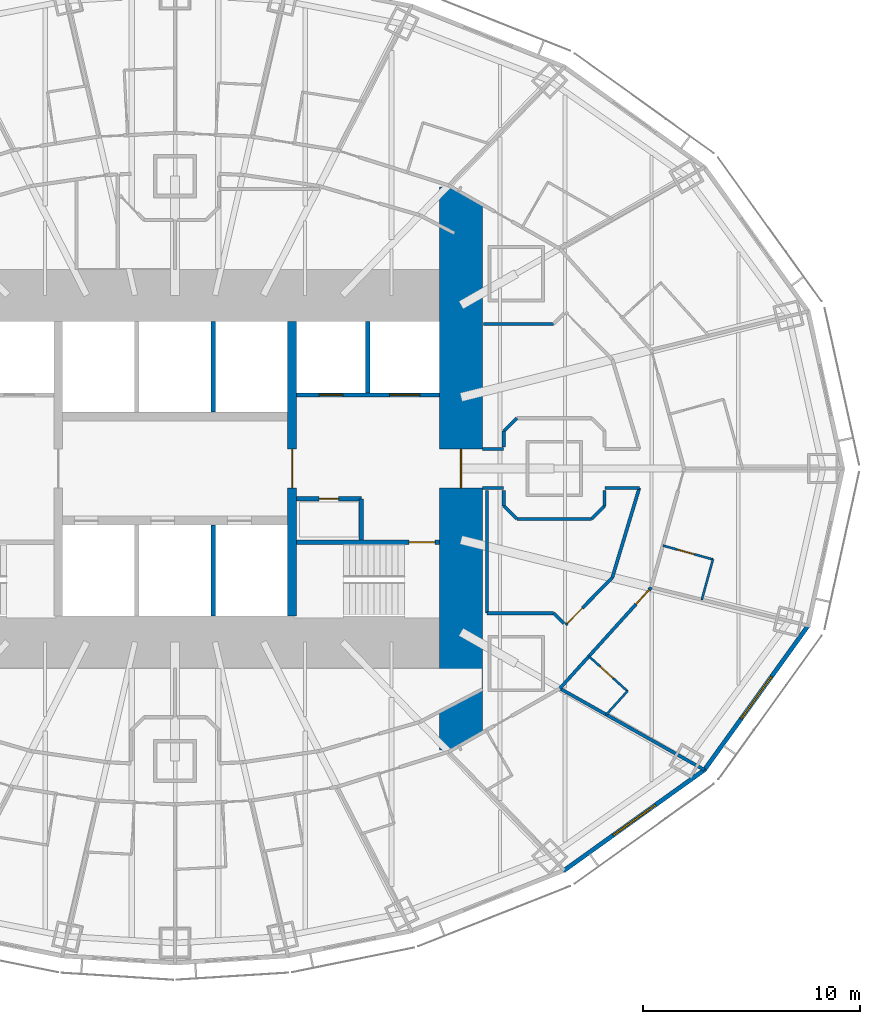
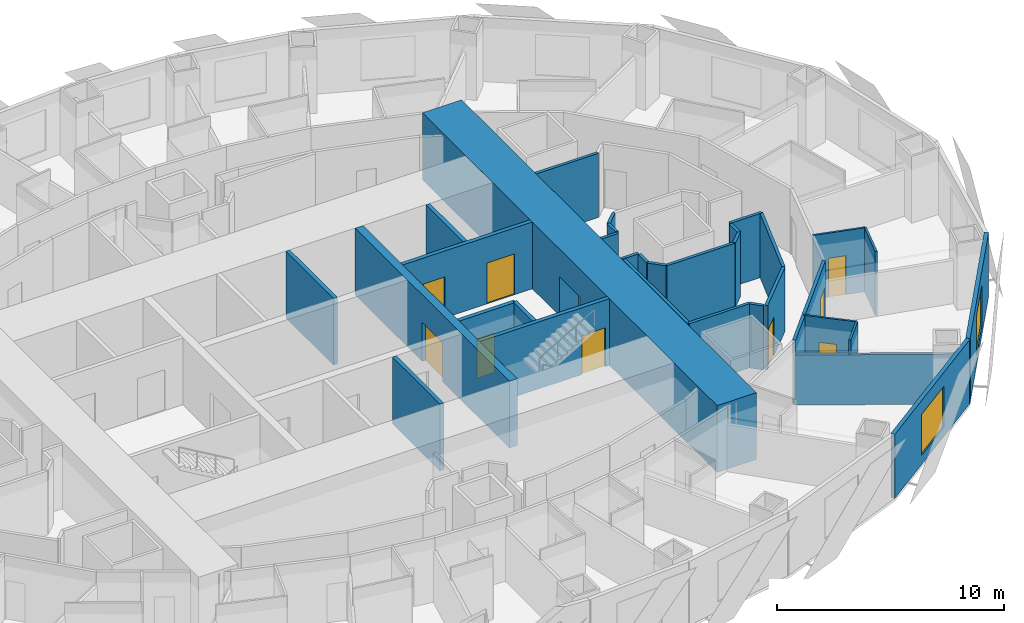
# One storey, part 8 of 17: 33 walls, 10 doors, 2 windows, 12 openings.
"""IFC4 building model written with IfcOpenShell, lengths in metres."""

import ifcopenshell
import ifcopenshell.guid

model = None  # the IFC model being written
_history = None  # IfcOwnerHistory: only IFC2X3 demands one
_inside = {}  # id of a spatial element -> (the spatial element, [elements in it])
_under = {}  # id of a project, library or spatial element -> (it, [spatial elements below it])
_declared = {}  # id of a project -> (the project, [libraries it declares])
_typed = {}  # id of a type object -> (the type object, [elements of that type])
_made_of = {}  # id of a material, layer set ... -> (it, [elements and type objects made of it])


def new_model(schema):
    """Start an empty IFC model of exactly this schema.

    Asked for "IFC4X3", IfcOpenShell would pick the latest addendum, in which some entities
    have other attributes; the version numbers below select the first issue.
    IFC2X3 requires an IfcOwnerHistory on every rooted entity: one is made here for all.
    """
    global model, _history
    if schema == "IFC4X3":
        model = ifcopenshell.file(schema_version=(4, 3, 0, 0))
    else:
        model = ifcopenshell.file(schema=schema)
    _inside.clear()
    _under.clear()
    _declared.clear()
    _typed.clear()
    _made_of.clear()
    _history = None
    if model.schema == "IFC2X3":
        org = make("IfcOrganization", Name="unknown")
        user = make(
            "IfcPersonAndOrganization",
            ThePerson=make("IfcPerson", FamilyName="unknown"),
            TheOrganization=org,
        )
        app = make(
            "IfcApplication",
            ApplicationDeveloper=org,
            Version="unknown",
            ApplicationFullName="unknown",
            ApplicationIdentifier="unknown",
        )
        _history = make(
            "IfcOwnerHistory",
            OwningUser=user,
            OwningApplication=app,
            ChangeAction="ADDED",
            CreationDate=0,
        )
    return model


def make(cls, **values):
    """One entity of the class cls with the attributes given. An attribute that is None is left unset."""
    return model.create_entity(
        cls, **{name: value for name, value in values.items() if value is not None}
    )


def rooted(cls, **values):
    """An entity with a GlobalId (a new one), such as an element, a storey or a relation."""
    return make(cls, GlobalId=ifcopenshell.guid.new(), OwnerHistory=_history, **values)


def si_unit(unit_type, name, prefix=None):
    """IfcSIUnit, for example si_unit("LENGTHUNIT", "METRE", prefix="MILLI")."""
    return make("IfcSIUnit", UnitType=unit_type, Prefix=prefix, Name=name)


def assignment(units):
    """IfcUnitAssignment: the units of a project."""
    return None if units is None else make("IfcUnitAssignment", Units=units)


def point(xyz):
    """IfcCartesianPoint."""
    return None if xyz is None else make("IfcCartesianPoint", Coordinates=xyz)


def direction(xyz):
    """IfcDirection."""
    return None if xyz is None else make("IfcDirection", DirectionRatios=xyz)


def frame(location, z_axis=None, x_axis=None):
    """IfcAxis2Placement3D, a coordinate frame: its origin and axes. An axis left out is left unset."""
    return make(
        "IfcAxis2Placement3D",
        Location=point(location),
        Axis=direction(z_axis),
        RefDirection=direction(x_axis),
    )


def frame_2d(location, x_axis=None):
    """IfcAxis2Placement2D, a coordinate frame in the plane: its origin and x axis."""
    return make(
        "IfcAxis2Placement2D", Location=point(location), RefDirection=direction(x_axis)
    )


def origin():
    """The frame at (0, 0, 0) with its axes left unset."""
    return frame((0.0, 0.0, 0.0))


def place(relative_to, where):
    """IfcLocalPlacement: puts the frame where relative to a parent placement (None: the world)."""
    return make(
        "IfcLocalPlacement", PlacementRelTo=relative_to, RelativePlacement=where
    )


def context(
    kind, dimensions, precision=None, world=None, true_north=None, identifier=None
):
    """IfcGeometricRepresentationContext, for example the 3D "Model" context."""
    return make(
        "IfcGeometricRepresentationContext",
        ContextIdentifier=identifier,
        ContextType=kind,
        CoordinateSpaceDimension=dimensions,
        Precision=precision,
        WorldCoordinateSystem=world,
        TrueNorth=true_north,
    )


def subcontext(parent, identifier, kind, view, scale=None):
    """IfcGeometricRepresentationSubContext, for example "Body" below "Model"."""
    return make(
        "IfcGeometricRepresentationSubContext",
        ContextIdentifier=identifier,
        ContextType=kind,
        ParentContext=parent,
        TargetScale=scale,
        TargetView=view,
    )


def project(units=None, contexts=None):
    """IfcProject with its units and contexts."""
    return rooted(
        "IfcProject",
        Name="project",
        RepresentationContexts=contexts,
        UnitsInContext=assignment(units),
    )


def spatial(cls, under=None, at=None, **own):
    """A site, building, storey or space (cls), placed at a placement, below another one or the project."""
    s = rooted(cls, ObjectPlacement=at, **own)
    if under is not None:
        _under.setdefault(under.id(), (under, []))[1].append(s)
    return s


def profile(cls, at=None, kind="AREA", **sizes):
    """A parametric profile (cls). Its sizes go by their IFC names, for example OverallWidth=200.0."""
    return make(cls, ProfileType=kind, Position=at, **sizes)


def rectangle(**sizes):
    """IfcRectangleProfileDef."""
    return profile("IfcRectangleProfileDef", **sizes)


def extrude(swept, where, along, depth):
    """IfcExtrudedAreaSolid: the profile swept, set in the frame where, extruded along a direction by depth."""
    return make(
        "IfcExtrudedAreaSolid",
        SweptArea=swept,
        Position=where,
        ExtrudedDirection=direction(along),
        Depth=depth,
    )


def shape(context_of_items, identifier, shape_type, items):
    """IfcShapeRepresentation: the items that make up one representation, for example the "Body"."""
    return make(
        "IfcShapeRepresentation",
        ContextOfItems=context_of_items,
        RepresentationIdentifier=identifier,
        RepresentationType=shape_type,
        Items=items,
    )


def material(Name=None, Category=None):
    """IfcMaterial."""
    return make("IfcMaterial", Name=Name, Category=Category)


def layer(
    of_material, thickness, ventilated=None, Name=None, Category=None, Priority=None
):
    """IfcMaterialLayer: one layer of a wall or slab, of a material (None: an air gap)."""
    return make(
        "IfcMaterialLayer",
        Material=of_material,
        LayerThickness=thickness,
        IsVentilated=ventilated,
        Name=Name,
        Category=Category,
        Priority=Priority,
    )


def layer_set(layers, Name=None):
    """IfcMaterialLayerSet."""
    return make("IfcMaterialLayerSet", MaterialLayers=layers, LayerSetName=Name)


def made_of(thing, what):
    """Note that an element or type object is made of a material, layer set ...; save() writes the relation."""
    if what is not None:
        _made_of.setdefault(what.id(), (what, []))[1].append(thing)
    return thing


def type_object(cls, material=None, **own):
    """A type object (cls), such as IfcWallType, which elements share."""
    return made_of(rooted(cls, **own), material)


def element(
    cls,
    number,
    at=None,
    inside=None,
    cuts=None,
    type_object=None,
    material=None,
    context=None,
    identifier="Body",
    shape_type=None,
    held_by="IfcProductDefinitionShape",
    body=None,
    shapes=None,
    **own,
):
    """One element of the class cls, such as IfcWall. Its Tag is "e" and its number.

    at: its placement. inside: the storey or other place that contains it. cuts: it is an
    opening in that element (IfcRelVoidsElement). A single representation is given by context,
    identifier, shape_type and body (its items); several are given by shapes. held_by: the class
    of the entity that holds the representations. save() writes the other relations.
    """
    e = rooted(cls, Tag="e%d" % number, ObjectPlacement=at, **own)
    if body is not None:
        shapes = [shape(context, identifier, shape_type, body)]
    if shapes is not None:
        e.Representation = make(held_by, Representations=shapes)
    if inside is not None:
        _inside.setdefault(inside.id(), (inside, []))[1].append(e)
    if cuts is not None:
        rooted(
            "IfcRelVoidsElement", RelatingBuildingElement=cuts, RelatedOpeningElement=e
        )
    if type_object is not None:
        _typed.setdefault(type_object.id(), (type_object, []))[1].append(e)
    return made_of(e, material)


def fill(opening, filler):
    """IfcRelFillsElement: the door or window that sits in an opening."""
    return rooted(
        "IfcRelFillsElement",
        RelatingOpeningElement=opening,
        RelatedBuildingElement=filler,
    )


def aggregate(whole, parts):
    """IfcRelAggregates: a whole, such as a stair, and the parts it consists of."""
    return rooted("IfcRelAggregates", RelatingObject=whole, RelatedObjects=parts)


def save(model, path):
    """Write the relations noted so far, then the file.

    IfcRelAggregates (storeys below a building ...), IfcRelContainedInSpatialStructure (elements
    in a storey), IfcRelDefinesByType, IfcRelAssociatesMaterial and IfcRelDeclares: one each for
    every whole, place, type object, material and project.
    """
    for whole, parts in _under.values():
        aggregate(whole, parts)
    for where, things in _inside.values():
        rooted(
            "IfcRelContainedInSpatialStructure",
            RelatedElements=things,
            RelatingStructure=where,
        )
    for kind, things in _typed.values():
        rooted("IfcRelDefinesByType", RelatedObjects=things, RelatingType=kind)
    for what, things in _made_of.values():
        rooted("IfcRelAssociatesMaterial", RelatedObjects=things, RelatingMaterial=what)
    for by, libraries in _declared.values():
        rooted("IfcRelDeclares", RelatingContext=by, RelatedDefinitions=libraries)
    model.write(path)


model = new_model("IFC4")

# Units and contexts
model_context = context("Model", 3, precision=1e-05, world=origin(), true_north=direction((0.0, 1.0)))
body_context = subcontext(model_context, "Body", "Model", "MODEL_VIEW")
ifc_project = project(units=[si_unit("LENGTHUNIT", "METRE"), si_unit("AREAUNIT", "SQUARE_METRE"), si_unit("VOLUMEUNIT", "CUBIC_METRE"), si_unit("PLANEANGLEUNIT", "RADIAN"), si_unit("MASSUNIT", "GRAM", prefix="KILO")], contexts=[model_context])

# Site, building, storey
site_placement = place(None, origin())
site = spatial("IfcSite", under=ifc_project, at=site_placement, CompositionType="ELEMENT")
building_placement = place(site_placement, origin())
building = spatial("IfcBuilding", under=site, at=building_placement, Name="Lantaw Convention Tower", CompositionType="ELEMENT")
storey_placement = place(building_placement, frame((0.0, 0.0, 37.0)))
storey = spatial("IfcBuildingStorey", under=building, at=storey_placement, Name="L06", CompositionType="ELEMENT", Elevation=37.0)

# Walls
ifc_material_1 = material(Name="Gypsum board on steel studs", Category="steel")
ifc_layer_1 = layer(ifc_material_1, 0.14990234375)
ifc_layer_set_1 = layer_set([ifc_layer_1], Name="Back of house wall 150")
wall_type_1 = type_object("IfcWallType", Name="Back of house wall 150", PredefinedType="PARTITIONING", material=ifc_layer_set_1)
wall_1_placement = place(storey_placement, frame((14.39990234375, -1.0048828125, 0.0), z_axis=(0.0, 0.0, 1.0), x_axis=(0.0, -1.0, 0.0)))
element("IfcWall", 1, at=wall_1_placement, inside=storey, type_object=wall_type_1, Name="Back of house wall 150", PredefinedType="PARTITIONING", context=body_context, shape_type="SweptSolid", body=[
    extrude(rectangle(XDim=5.670166015625, YDim=0.14990234375, at=frame_2d((2.8349609375, 0.0))), origin(), (0.0, 0.0, 1.0), 3.449951171875),
])
wall_2_placement = place(storey_placement, frame((14.39990234375, -6.675048828125, 0.0), z_axis=(0.0, 0.0, 1.0), x_axis=(1.0, 0.0, 0.0)))
element("IfcWall", 2, at=wall_2_placement, inside=storey, type_object=wall_type_1, Name="Back of house wall 150", PredefinedType="PARTITIONING", context=body_context, shape_type="SweptSolid", body=[
    extrude(rectangle(XDim=3.07470703125, YDim=0.14990234375, at=frame_2d((1.537353515625, 0.0))), origin(), (0.0, 0.0, 1.0), 3.449951171875),
])
wall_3_placement = place(storey_placement, frame((17.474609375, -6.675048828125, 0.0), z_axis=(0.0, 0.0, 1.0), x_axis=(0.707106781187, -0.707106781187, 0.0)))
element("IfcWall", 3, at=wall_3_placement, inside=storey, type_object=wall_type_1, Name="Back of house wall 150", PredefinedType="PARTITIONING", context=body_context, shape_type="SweptSolid", body=[
    extrude(rectangle(XDim=0.675048828125, YDim=0.14990234375, at=frame_2d((0.33740234375, 0.0))), origin(), (0.0, 0.0, 1.0), 3.449951171875),
])

# Wall, opening, door
ifc_material_2 = material(Name="Moisture resistant gypsum board on steel studs", Category="steel")
ifc_layer_2 = layer(ifc_material_2, 0.10009765625)
ifc_layer_set_2 = layer_set([ifc_layer_2], Name="Bathroom wall 100")
wall_type_2 = type_object("IfcWallType", Name="Bathroom wall 100", PredefinedType="PARTITIONING", material=ifc_layer_set_2)
wall_4_placement = place(storey_placement, frame((19.1025390625, -8.665771484375, 0.0), z_axis=(0.0, 0.0, 1.0), x_axis=(0.741861025859, -0.670553665496, 0.0)))
wall_4 = element("IfcWall", 4, at=wall_4_placement, inside=storey, type_object=wall_type_2, Name="Bathroom wall 100", PredefinedType="PARTITIONING", context=body_context, shape_type="SweptSolid", body=[
    extrude(rectangle(XDim=2.400146484375, YDim=0.10009765625, at=frame_2d((1.2001953125, 0.0))), origin(), (0.0, 0.0, 1.0), 3.449951171875),
])
opening_1_placement = place(wall_4_placement, frame((0.699951171875, 0.0, 0.0)))
opening_1 = element("IfcOpeningElement", 5, at=opening_1_placement, cuts=wall_4, Name="Opening L06.68", PredefinedType="OPENING", context=body_context, shape_type="SweptSolid", body=[
    extrude(rectangle(XDim=0.800048828125, YDim=2.10009765625, at=frame_2d((0.39990234375, 1.050048828125))), frame((0.0, 0.06005859375, 0.0), z_axis=(0.0, -1.0, 0.0), x_axis=(1.0, 0.0, 0.0)), (0.0, 0.0, 1.0), 0.1201171875),
])
ifc_material_3 = material(Name="Timber", Category="wood")
door_type_1 = type_object("IfcDoorType", Name="Bathroom door 800", OperationType="SINGLE_SWING_LEFT", PredefinedType="DOOR", material=ifc_material_3)
door_1_placement = place(opening_1_placement, origin())
door_1 = element("IfcDoor", 6, at=door_1_placement, inside=storey, type_object=door_type_1, Name="Bathroom door", OperationType="SINGLE_SWING_LEFT", OverallHeight=2.10009765625, OverallWidth=0.800048828125, PredefinedType="DOOR", context=body_context, shape_type="SweptSolid", body=[
    extrude(rectangle(XDim=0.800048828125, YDim=2.10009765625, at=frame_2d((0.39990234375, 1.050048828125))), frame((0.0, 0.02490234375, 0.0), z_axis=(0.0, -1.0, 0.0), x_axis=(1.0, 0.0, 0.0)), (0.0, 0.0, 1.0), 0.050048828125),
])
fill(opening_1, door_1)

# Wall
wall_5_placement = place(storey_placement, frame((20.883056640625, -10.275146484375, 0.0), z_axis=(0.0, 0.0, 1.0), x_axis=(-0.670592268759, -0.7418261313, 0.0)))
element("IfcWall", 7, at=wall_5_placement, inside=storey, type_object=wall_type_2, Name="Bathroom wall 100", PredefinedType="PARTITIONING", context=body_context, shape_type="SweptSolid", body=[
    extrude(rectangle(XDim=1.4736328125, YDim=0.10009765625, at=frame_2d((0.73681640625, 0.0))), origin(), (0.0, 0.0, 1.0), 3.449951171875),
])

# Wall, opening, door
wall_6_placement = place(storey_placement, frame((22.515869140625, -3.55322265625, 0.0), z_axis=(0.0, 0.0, 1.0), x_axis=(0.963711502417, -0.266945949788, 0.0)))
wall_6 = element("IfcWall", 8, at=wall_6_placement, inside=storey, type_object=wall_type_2, Name="Bathroom wall 100", PredefinedType="PARTITIONING", context=body_context, shape_type="SweptSolid", body=[
    extrude(rectangle(XDim=2.39990234375, YDim=0.10009765625, at=frame_2d((1.199951171875, 0.0))), origin(), (0.0, 0.0, 1.0), 3.449951171875),
])
opening_2_placement = place(wall_6_placement, frame((0.699951171875, 0.0, 0.0)))
opening_2 = element("IfcOpeningElement", 9, at=opening_2_placement, cuts=wall_6, Name="Opening L06.70", PredefinedType="OPENING", context=body_context, shape_type="SweptSolid", body=[
    extrude(rectangle(XDim=0.800048828125, YDim=2.10009765625, at=frame_2d((0.39990234375, 1.050048828125))), frame((0.0, 0.06005859375, 0.0), z_axis=(0.0, -1.0, 0.0), x_axis=(1.0, 0.0, 0.0)), (0.0, 0.0, 1.0), 0.1201171875),
])
door_2_placement = place(opening_2_placement, origin())
door_2 = element("IfcDoor", 10, at=door_2_placement, inside=storey, type_object=door_type_1, Name="Bathroom door", OperationType="SINGLE_SWING_LEFT", OverallHeight=2.10009765625, OverallWidth=0.800048828125, PredefinedType="DOOR", context=body_context, shape_type="SweptSolid", body=[
    extrude(rectangle(XDim=0.800048828125, YDim=2.10009765625, at=frame_2d((0.39990234375, 1.050048828125))), frame((0.0, 0.02490234375, 0.0), z_axis=(0.0, -1.0, 0.0), x_axis=(1.0, 0.0, 0.0)), (0.0, 0.0, 1.0), 0.050048828125),
])
fill(opening_2, door_2)

# Wall
wall_7_placement = place(storey_placement, frame((24.82861328125, -4.19384765625, 0.0), z_axis=(0.0, 0.0, 1.0), x_axis=(-0.266942084007, -0.963712573222, 0.0)))
element("IfcWall", 11, at=wall_7_placement, inside=storey, type_object=wall_type_2, Name="Bathroom wall 100", PredefinedType="PARTITIONING", context=body_context, shape_type="SweptSolid", body=[
    extrude(rectangle(XDim=1.93798828125, YDim=0.10009765625, at=frame_2d((0.968994140625, 0.0))), origin(), (0.0, 0.0, 1.0), 3.449951171875),
])

# Wall, opening, door
ifc_material_4 = material(Name="Concrete C60/75", Category="concrete")
ifc_layer_3 = layer(ifc_material_4, 0.199951171875)
ifc_layer_set_3 = layer_set([ifc_layer_3], Name="Core wall 200")
wall_type_3 = type_object("IfcWallType", Name="Core wall 200", PredefinedType="SHEAR", material=ifc_layer_set_3)
wall_8_placement = place(storey_placement, frame((5.60009765625, -3.39990234375, 0.0), z_axis=(0.0, 0.0, 1.0), x_axis=(1.0, 0.0, 0.0)))
wall_8 = element("IfcWall", 12, at=wall_8_placement, inside=storey, type_object=wall_type_3, Name="Core wall ES", PredefinedType="SHEAR", context=body_context, shape_type="SweptSolid", body=[
    extrude(rectangle(XDim=6.599853515625, YDim=0.199951171875, at=frame_2d((3.2998046875, 0.0))), origin(), (0.0, 0.0, 1.0), 3.60009765625),
])
opening_3_placement = place(wall_8_placement, frame((5.199951171875, 0.0, 0.0)))
opening_3 = element("IfcOpeningElement", 13, at=opening_3_placement, cuts=wall_8, Name="Opening L06.04", PredefinedType="OPENING", context=body_context, shape_type="SweptSolid", body=[
    extrude(rectangle(XDim=1.199951171875, YDim=2.10009765625, at=frame_2d((0.60009765625, 1.050048828125))), frame((0.0, 0.10986328125, 0.0), z_axis=(0.0, -1.0, 0.0), x_axis=(1.0, 0.0, 0.0)), (0.0, 0.0, 1.0), 0.219970703125),
])
ifc_material_5 = material(Name="Steel, fire rated", Category="steel")
door_type_2 = type_object("IfcDoorType", Name="Stair door FD90", OperationType="SINGLE_SWING_RIGHT", PredefinedType="DOOR", material=ifc_material_5)
door_3_placement = place(opening_3_placement, origin())
door_3 = element("IfcDoor", 14, at=door_3_placement, inside=storey, type_object=door_type_2, Name="Exit stair door", OperationType="SINGLE_SWING_RIGHT", OverallHeight=2.10009765625, OverallWidth=1.199951171875, PredefinedType="DOOR", context=body_context, shape_type="SweptSolid", body=[
    extrude(rectangle(XDim=1.199951171875, YDim=2.10009765625, at=frame_2d((0.60009765625, 1.050048828125))), frame((0.0, 0.02490234375, 0.0), z_axis=(0.0, -1.0, 0.0), x_axis=(1.0, 0.0, 0.0)), (0.0, 0.0, 1.0), 0.050048828125),
])
fill(opening_3, door_3)

ifc_layer_4 = layer(ifc_material_4, 2.0)
ifc_layer_set_4 = layer_set([ifc_layer_4], Name="Core wall 2000")
wall_type_4 = type_object("IfcWallType", Name="Core wall 2000", PredefinedType="SHEAR", material=ifc_layer_set_4)
wall_9_placement = place(storey_placement, frame((13.199951171875, -13.0, 0.0), z_axis=(0.0, 0.0, 1.0), x_axis=(0.0, 1.0, 0.0)))
wall_9 = element("IfcWall", 15, at=wall_9_placement, inside=storey, type_object=wall_type_4, Name="Core wall E", PredefinedType="SHEAR", context=body_context, shape_type="SweptSolid", body=[
    extrude(rectangle(XDim=26.0, YDim=2.0, at=frame_2d((13.0, 0.0))), origin(), (0.0, 0.0, 1.0), 3.60009765625),
])
opening_4_placement = place(wall_9_placement, frame((12.10009765625, 0.0, 0.0)))
opening_4 = element("IfcOpeningElement", 16, at=opening_4_placement, cuts=wall_9, Name="Opening L06.06", PredefinedType="OPENING", context=body_context, shape_type="SweptSolid", body=[
    extrude(rectangle(XDim=1.800048828125, YDim=2.10009765625, at=frame_2d((0.89990234375, 1.050048828125))), frame((0.0, 1.010009765625, 0.0), z_axis=(0.0, -1.0, 0.0), x_axis=(1.0, 0.0, 0.0)), (0.0, 0.0, 1.0), 2.02001953125),
])
door_type_3 = type_object("IfcDoorType", Name="Lobby double door FD90", OperationType="DOUBLE_DOOR_DOUBLE_SWING", PredefinedType="DOOR", material=ifc_material_5)
door_4_placement = place(opening_4_placement, origin())
door_4 = element("IfcDoor", 17, at=door_4_placement, inside=storey, type_object=door_type_3, Name="Firefighting lobby door", OperationType="DOUBLE_DOOR_DOUBLE_SWING", OverallHeight=2.10009765625, OverallWidth=1.800048828125, PredefinedType="DOOR", context=body_context, shape_type="SweptSolid", body=[
    extrude(rectangle(XDim=1.800048828125, YDim=2.10009765625, at=frame_2d((0.89990234375, 1.050048828125))), frame((0.0, 0.02490234375, 0.0), z_axis=(0.0, -1.0, 0.0), x_axis=(1.0, 0.0, 0.0)), (0.0, 0.0, 1.0), 0.050048828125),
])
fill(opening_4, door_4)

ifc_layer_5 = layer(ifc_material_4, 0.39990234375)
ifc_layer_set_5 = layer_set([ifc_layer_5], Name="Core wall 400")
wall_type_5 = type_object("IfcWallType", Name="Core wall 400", PredefinedType="SHEAR", material=ifc_layer_set_5)
wall_10_placement = place(storey_placement, frame((5.39990234375, -6.800048828125, 0.0), z_axis=(0.0, 0.0, 1.0), x_axis=(0.0, 1.0, 0.0)))
wall_10 = element("IfcWall", 18, at=wall_10_placement, inside=storey, type_object=wall_type_5, Name="Core wall XE", PredefinedType="SHEAR", context=body_context, shape_type="SweptSolid", body=[
    extrude(rectangle(XDim=13.60009765625, YDim=0.39990234375, at=frame_2d((6.800048828125, 0.0))), origin(), (0.0, 0.0, 1.0), 3.60009765625),
])
opening_5_placement = place(wall_10_placement, frame((5.89990234375, 0.0, 0.0)))
opening_5 = element("IfcOpeningElement", 19, at=opening_5_placement, cuts=wall_10, Name="Opening L06.02", PredefinedType="OPENING", context=body_context, shape_type="SweptSolid", body=[
    extrude(rectangle(XDim=1.800048828125, YDim=2.10009765625, at=frame_2d((0.89990234375, 1.050048828125))), frame((0.0, 0.2099609375, 0.0), z_axis=(0.0, -1.0, 0.0), x_axis=(1.0, 0.0, 0.0)), (0.0, 0.0, 1.0), 0.419921875),
])
door_5_placement = place(opening_5_placement, origin())
door_5 = element("IfcDoor", 20, at=door_5_placement, inside=storey, type_object=door_type_3, Name="Lift lobby door", OperationType="DOUBLE_DOOR_DOUBLE_SWING", OverallHeight=2.10009765625, OverallWidth=1.800048828125, PredefinedType="DOOR", context=body_context, shape_type="SweptSolid", body=[
    extrude(rectangle(XDim=1.800048828125, YDim=2.10009765625, at=frame_2d((0.89990234375, 1.050048828125))), frame((0.0, 0.02490234375, 0.0), z_axis=(0.0, -1.0, 0.0), x_axis=(1.0, 0.0, 0.0)), (0.0, 0.0, 1.0), 0.050048828125),
])
fill(opening_5, door_5)

ifc_material_6 = material(Name="Gypsum board on steel studs, fire rated", Category="steel")
ifc_layer_6 = layer(ifc_material_6, 0.14990234375)
ifc_layer_set_6 = layer_set([ifc_layer_6], Name="Corridor wall 150 EI 60")
wall_type_6 = type_object("IfcWallType", Name="Corridor wall 150 EI 60", PredefinedType="PARTITIONING", material=ifc_layer_set_6)
wall_11_placement = place(storey_placement, frame((17.761474609375, -10.1494140625, 0.0), z_axis=(0.0, 0.0, 1.0), x_axis=(0.670598380282, 0.741820606591, 0.0)))
wall_11 = element("IfcWall", 21, at=wall_11_placement, inside=storey, type_object=wall_type_6, Name="Corridor wall 150", PredefinedType="PARTITIONING", context=body_context, shape_type="SweptSolid", body=[
    extrude(rectangle(XDim=6.29345703125, YDim=0.14990234375, at=frame_2d((3.146728515625, 0.0))), origin(), (0.0, 0.0, 1.0), 3.449951171875),
])
opening_6_placement = place(wall_11_placement, frame((5.24365234375, 0.0, 0.0)))
opening_6 = element("IfcOpeningElement", 22, at=opening_6_placement, cuts=wall_11, Name="Opening L06.69", PredefinedType="OPENING", context=body_context, shape_type="SweptSolid", body=[
    extrude(rectangle(XDim=0.89990234375, YDim=2.10009765625, at=frame_2d((0.449951171875, 1.050048828125))), frame((0.0, 0.0849609375, 0.0), z_axis=(0.0, -1.0, 0.0), x_axis=(1.0, 0.0, 0.0)), (0.0, 0.0, 1.0), 0.169921875),
])
door_type_4 = type_object("IfcDoorType", Name="Guest room entrance door FD30S", OperationType="SINGLE_SWING_LEFT", PredefinedType="DOOR", material=ifc_material_5)
door_6_placement = place(opening_6_placement, origin())
door_6 = element("IfcDoor", 23, at=door_6_placement, inside=storey, type_object=door_type_4, Name="Guest room entrance door", OperationType="SINGLE_SWING_LEFT", OverallHeight=2.10009765625, OverallWidth=0.89990234375, PredefinedType="DOOR", context=body_context, shape_type="SweptSolid", body=[
    extrude(rectangle(XDim=0.89990234375, YDim=2.10009765625, at=frame_2d((0.449951171875, 1.050048828125))), frame((0.0, 0.02490234375, 0.0), z_axis=(0.0, -1.0, 0.0), x_axis=(1.0, 0.0, 0.0)), (0.0, 0.0, 1.0), 0.050048828125),
])
fill(opening_6, door_6)

# Wall
wall_12_placement = place(storey_placement, frame((20.18310546875, -5.0322265625, 0.0), z_axis=(0.0, 0.0, 1.0), x_axis=(0.288603524054, 0.957448696225, 0.0)))
element("IfcWall", 24, at=wall_12_placement, inside=storey, type_object=wall_type_6, Name="Corridor wall 150", PredefinedType="PARTITIONING", context=body_context, shape_type="SweptSolid", body=[
    extrude(rectangle(XDim=4.31591796875, YDim=0.14990234375, at=frame_2d((2.157958984375, 0.0))), origin(), (0.0, 0.0, 1.0), 3.449951171875),
])

# Wall, opening, door
wall_13_placement = place(storey_placement, frame((18.031982421875, -7.21826171875, 0.0), z_axis=(0.0, 0.0, 1.0), x_axis=(0.701392176983, 0.712775570616, 0.0)))
wall_13 = element("IfcWall", 25, at=wall_13_placement, inside=storey, type_object=wall_type_6, Name="Corridor wall 150", PredefinedType="PARTITIONING", context=body_context, shape_type="SweptSolid", body=[
    extrude(rectangle(XDim=3.06689453125, YDim=0.14990234375, at=frame_2d((1.533447265625, 0.0))), origin(), (0.0, 0.0, 1.0), 3.449951171875),
])
opening_7_placement = place(wall_13_placement, frame((0.10009765625, 0.0, 0.0)))
opening_7 = element("IfcOpeningElement", 26, at=opening_7_placement, cuts=wall_13, Name="Opening L06.24", PredefinedType="OPENING", context=body_context, shape_type="SweptSolid", body=[
    extrude(rectangle(XDim=1.0, YDim=2.10009765625, at=frame_2d((0.5, 1.050048828125))), frame((0.0, 0.0849609375, 0.0), z_axis=(0.0, -1.0, 0.0), x_axis=(1.0, 0.0, 0.0)), (0.0, 0.0, 1.0), 0.169921875),
])
door_type_5 = type_object("IfcDoorType", Name="Service door 1000 FD30", OperationType="SINGLE_SWING_LEFT", PredefinedType="DOOR", material=ifc_material_5)
door_7_placement = place(opening_7_placement, origin())
door_7 = element("IfcDoor", 27, at=door_7_placement, inside=storey, type_object=door_type_5, Name="Housekeeping store door", OperationType="SINGLE_SWING_LEFT", OverallHeight=2.10009765625, OverallWidth=1.0, PredefinedType="DOOR", context=body_context, shape_type="SweptSolid", body=[
    extrude(rectangle(XDim=1.0, YDim=2.10009765625, at=frame_2d((0.5, 1.050048828125))), frame((0.0, 0.02490234375, 0.0), z_axis=(0.0, -1.0, 0.0), x_axis=(1.0, 0.0, 0.0)), (0.0, 0.0, 1.0), 0.050048828125),
])
fill(opening_7, door_7)

# Walls
wall_14_placement = place(storey_placement, frame((17.474609375, 6.675048828125, 0.0), z_axis=(0.0, 0.0, 1.0), x_axis=(-1.0, 0.0, 0.0)))
element("IfcWall", 28, at=wall_14_placement, inside=storey, type_object=wall_type_6, Name="Corridor wall 150", PredefinedType="PARTITIONING", context=body_context, shape_type="SweptSolid", body=[
    extrude(rectangle(XDim=3.24462890625, YDim=0.14990234375, at=frame_2d((1.622314453125, 0.0))), origin(), (0.0, 0.0, 1.0), 3.449951171875),
])
wall_15_placement = place(storey_placement, frame((14.199951171875, -0.89990234375, 0.0), z_axis=(0.0, 0.0, 1.0), x_axis=(1.0, 0.0, 0.0)))
element("IfcWall", 29, at=wall_15_placement, inside=storey, type_object=wall_type_6, Name="Corridor wall 150", PredefinedType="PARTITIONING", context=body_context, shape_type="SweptSolid", body=[
    extrude(rectangle(XDim=0.965087890625, YDim=0.14990234375, at=frame_2d((0.482421875, 0.0))), origin(), (0.0, 0.0, 1.0), 3.449951171875),
])
wall_16_placement = place(storey_placement, frame((19.8349609375, -0.89990234375, 0.0), z_axis=(0.0, 0.0, 1.0), x_axis=(1.0, 0.0, 0.0)))
element("IfcWall", 30, at=wall_16_placement, inside=storey, type_object=wall_type_6, Name="Corridor wall 150", PredefinedType="PARTITIONING", context=body_context, shape_type="SweptSolid", body=[
    extrude(rectangle(XDim=1.59375, YDim=0.14990234375, at=frame_2d((0.796875, 0.0))), origin(), (0.0, 0.0, 1.0), 3.449951171875),
])
wall_17_placement = place(storey_placement, frame((14.199951171875, 0.89990234375, 0.0), z_axis=(0.0, 0.0, 1.0), x_axis=(1.0, 0.0, 0.0)))
element("IfcWall", 31, at=wall_17_placement, inside=storey, type_object=wall_type_6, Name="Corridor wall 150", PredefinedType="PARTITIONING", context=body_context, shape_type="SweptSolid", body=[
    extrude(rectangle(XDim=0.965087890625, YDim=0.14990234375, at=frame_2d((0.482421875, 0.0))), origin(), (0.0, 0.0, 1.0), 3.449951171875),
])
wall_18_placement = place(storey_placement, frame((15.175048828125, 1.003173828125, 0.0), z_axis=(0.0, 0.0, 1.0), x_axis=(0.0, 1.0, 0.0)))
element("IfcWall", 32, at=wall_18_placement, inside=storey, type_object=wall_type_6, Name="Corridor wall 150", PredefinedType="PARTITIONING", context=body_context, shape_type="SweptSolid", body=[
    extrude(rectangle(XDim=0.721435546875, YDim=0.14990234375, at=frame_2d((0.36083984375, 0.0))), origin(), (0.0, 0.0, 1.0), 3.449951171875),
])
wall_19_placement = place(storey_placement, frame((15.175048828125, 1.724609375, 0.0), z_axis=(0.0, 0.0, 1.0), x_axis=(0.707106781187, 0.707106781187, 0.0)))
element("IfcWall", 33, at=wall_19_placement, inside=storey, type_object=wall_type_6, Name="Corridor wall 150", PredefinedType="PARTITIONING", context=body_context, shape_type="SweptSolid", body=[
    extrude(rectangle(XDim=0.84912109375, YDim=0.14990234375, at=frame_2d((0.424560546875, 0.0))), origin(), (0.0, 0.0, 1.0), 3.449951171875),
])
for number, where, z_axis, x_axis, name in (
    (34, (15.175048828125, -1.724609375, 0.0), (0.0, 0.0, 1.0), (0.0, 1.0, 0.0), "Corridor wall 150"),
    (35, (19.824951171875, -1.003173828125, 0.0), (0.0, 0.0, 1.0), (0.0, -1.0, 0.0), "Corridor wall 150"),
):
    element("IfcWall", number, at=place(storey_placement, frame(where, z_axis=z_axis, x_axis=x_axis)), inside=storey, type_object=wall_type_6, Name=name, PredefinedType="PARTITIONING", context=body_context, shape_type="SweptSolid", body=[
        extrude(rectangle(XDim=0.721435546875, YDim=0.14990234375, at=frame_2d((0.36083984375, 0.0))), origin(), (0.0, 0.0, 1.0), 3.449951171875),
    ])
wall_20_placement = place(storey_placement, frame((19.824951171875, -1.724609375, 0.0), z_axis=(0.0, 0.0, 1.0), x_axis=(-0.707106781187, -0.707106781187, 0.0)))
element("IfcWall", 36, at=wall_20_placement, inside=storey, type_object=wall_type_6, Name="Corridor wall 150", PredefinedType="PARTITIONING", context=body_context, shape_type="SweptSolid", body=[
    extrude(rectangle(XDim=0.84912109375, YDim=0.14990234375, at=frame_2d((0.424560546875, 0.0))), origin(), (0.0, 0.0, 1.0), 3.449951171875),
])
wall_21_placement = place(storey_placement, frame((19.224609375, -2.324951171875, 0.0), z_axis=(0.0, 0.0, 1.0), x_axis=(-1.0, 0.0, 0.0)))
element("IfcWall", 37, at=wall_21_placement, inside=storey, type_object=wall_type_6, Name="Corridor wall 150", PredefinedType="PARTITIONING", context=body_context, shape_type="SweptSolid", body=[
    extrude(rectangle(XDim=3.44921875, YDim=0.14990234375, at=frame_2d((1.724609375, 0.0))), origin(), (0.0, 0.0, 1.0), 3.449951171875),
])
wall_22_placement = place(storey_placement, frame((15.775390625, -2.324951171875, 0.0), z_axis=(0.0, 0.0, 1.0), x_axis=(-0.707106781187, 0.707106781187, 0.0)))
element("IfcWall", 38, at=wall_22_placement, inside=storey, type_object=wall_type_6, Name="Corridor wall 150", PredefinedType="PARTITIONING", context=body_context, shape_type="SweptSolid", body=[
    extrude(rectangle(XDim=0.84912109375, YDim=0.14990234375, at=frame_2d((0.424560546875, 0.0))), origin(), (0.0, 0.0, 1.0), 3.449951171875),
])

# Wall, opening, window
ifc_material_7 = material(Name="Insulated aluminium panel on steel frame", Category="steel")
ifc_layer_7 = layer(ifc_material_7, 0.199951171875)
ifc_layer_set_7 = layer_set([ifc_layer_7], Name="External wall 200")
wall_type_7 = type_object("IfcWallType", Name="External wall 200", PredefinedType="SOLIDWALL", material=ifc_layer_set_7)
wall_23_placement = place(storey_placement, frame((17.9287109375, -18.57177734375, 0.0), z_axis=(0.0, 0.0, 1.0), x_axis=(0.812791321576, 0.582554948112, 0.0)))
wall_23 = element("IfcWall", 39, at=wall_23_placement, inside=storey, type_object=wall_type_7, Name="Facade panel wall", PredefinedType="SOLIDWALL", context=body_context, shape_type="SweptSolid", body=[
    extrude(rectangle(XDim=8.063232421875, YDim=0.199951171875, at=frame_2d((4.03173828125, 0.0))), origin(), (0.0, 0.0, 1.0), 3.449951171875),
])
opening_8_placement = place(wall_23_placement, frame((2.83154296875, 0.0, 0.5)))
opening_8 = element("IfcOpeningElement", 40, at=opening_8_placement, cuts=wall_23, Name="Opening W1", PredefinedType="OPENING", context=body_context, shape_type="SweptSolid", body=[
    extrude(rectangle(XDim=2.39990234375, YDim=2.199951171875, at=frame_2d((1.199951171875, 1.10009765625))), frame((0.0, 0.10986328125, 0.0), z_axis=(0.0, -1.0, 0.0), x_axis=(1.0, 0.0, 0.0)), (0.0, 0.0, 1.0), 0.219970703125),
])
ifc_material_8 = material(Name="Aluminium frame, clear insulating glass", Category="aluminium")
window_type = type_object("IfcWindowType", Name="Guest room window 2400x2200", PartitioningType="SINGLE_PANEL", PredefinedType="WINDOW", material=ifc_material_8)
window_1_placement = place(opening_8_placement, origin())
window_1 = element("IfcWindow", 41, at=window_1_placement, inside=storey, type_object=window_type, Name="Guest room window", OverallHeight=2.199951171875, OverallWidth=2.39990234375, PartitioningType="SINGLE_PANEL", PredefinedType="WINDOW", context=body_context, shape_type="SweptSolid", body=[
    extrude(rectangle(XDim=2.39990234375, YDim=2.199951171875, at=frame_2d((1.199951171875, 1.10009765625))), frame((0.0, 0.030029296875, 0.0), z_axis=(0.0, -1.0, 0.0), x_axis=(1.0, 0.0, 0.0)), (0.0, 0.0, 1.0), 0.06005859375),
])
fill(opening_8, window_1)

wall_24_placement = place(storey_placement, frame((24.400390625, -13.95654296875, 0.0), z_axis=(0.0, 0.0, 1.0), x_axis=(0.583937613703, 0.811798536155, 0.0)))
wall_24 = element("IfcWall", 42, at=wall_24_placement, inside=storey, type_object=wall_type_7, Name="Facade panel wall", PredefinedType="SOLIDWALL", context=body_context, shape_type="SweptSolid", body=[
    extrude(rectangle(XDim=8.322998046875, YDim=0.199951171875, at=frame_2d((4.16162109375, 0.0))), origin(), (0.0, 0.0, 1.0), 3.449951171875),
])
opening_9_placement = place(wall_24_placement, frame((2.96142578125, 0.0, 0.5)))
opening_9 = element("IfcOpeningElement", 43, at=opening_9_placement, cuts=wall_24, Name="Opening W1", PredefinedType="OPENING", context=body_context, shape_type="SweptSolid", body=[
    extrude(rectangle(XDim=2.39990234375, YDim=2.199951171875, at=frame_2d((1.199951171875, 1.10009765625))), frame((0.0, 0.10986328125, 0.0), z_axis=(0.0, -1.0, 0.0), x_axis=(1.0, 0.0, 0.0)), (0.0, 0.0, 1.0), 0.219970703125),
])
window_2_placement = place(opening_9_placement, origin())
window_2 = element("IfcWindow", 44, at=window_2_placement, inside=storey, type_object=window_type, Name="Guest room window", OverallHeight=2.199951171875, OverallWidth=2.39990234375, PartitioningType="SINGLE_PANEL", PredefinedType="WINDOW", context=body_context, shape_type="SweptSolid", body=[
    extrude(rectangle(XDim=2.39990234375, YDim=2.199951171875, at=frame_2d((1.199951171875, 1.10009765625))), frame((0.0, 0.030029296875, 0.0), z_axis=(0.0, -1.0, 0.0), x_axis=(1.0, 0.0, 0.0)), (0.0, 0.0, 1.0), 0.06005859375),
])
fill(opening_9, window_2)

# Wall
ifc_material_9 = material(Name="Gypsum board on steel studs, acoustic", Category="steel")
ifc_layer_8 = layer(ifc_material_9, 0.14990234375)
ifc_layer_set_8 = layer_set([ifc_layer_8], Name="Guest room party wall 150")
wall_type_8 = type_object("IfcWallType", Name="Guest room party wall 150", PredefinedType="PARTITIONING", material=ifc_layer_set_8)
wall_25_placement = place(storey_placement, frame((24.434814453125, -13.90869140625, 0.0), z_axis=(0.0, 0.0, 1.0), x_axis=(-0.871267209855, 0.490808974074, 0.0)))
element("IfcWall", 45, at=wall_25_placement, inside=storey, type_object=wall_type_8, Name="Guest room party wall 150", PredefinedType="PARTITIONING", context=body_context, shape_type="SweptSolid", body=[
    extrude(rectangle(XDim=7.659423828125, YDim=0.14990234375, at=frame_2d((3.82958984375, 0.0))), origin(), (0.0, 0.0, 1.0), 2.693115234375),
])

# Wall, opening, door
ifc_material_10 = material(Name="Concrete blockwork, fire rated", Category="masonry")
ifc_layer_9 = layer(ifc_material_10, 0.199951171875)
ifc_layer_set_9 = layer_set([ifc_layer_9], Name="Plant room wall 200 EI 120")
wall_type_9 = type_object("IfcWallType", Name="Plant room wall 200 EI 120", PredefinedType="SOLIDWALL", material=ifc_layer_set_9)
wall_26_placement = place(storey_placement, frame((5.60009765625, -1.39990234375, 0.0), z_axis=(0.0, 0.0, 1.0), x_axis=(1.0, 0.0, 0.0)))
wall_26 = element("IfcWall", 46, at=wall_26_placement, inside=storey, type_object=wall_type_9, Name="Plant room wall 200", PredefinedType="SOLIDWALL", context=body_context, shape_type="SweptSolid", body=[
    extrude(rectangle(XDim=3.0, YDim=0.199951171875, at=frame_2d((1.5, 0.0))), origin(), (0.0, 0.0, 1.0), 3.449951171875),
])
opening_10_placement = place(wall_26_placement, frame((1.050048828125, 0.0, 0.0)))
opening_10 = element("IfcOpeningElement", 47, at=opening_10_placement, cuts=wall_26, Name="Opening L06.01", PredefinedType="OPENING", context=body_context, shape_type="SweptSolid", body=[
    extrude(rectangle(XDim=0.89990234375, YDim=2.10009765625, at=frame_2d((0.449951171875, 1.050048828125))), frame((0.0, 0.10986328125, 0.0), z_axis=(0.0, -1.0, 0.0), x_axis=(1.0, 0.0, 0.0)), (0.0, 0.0, 1.0), 0.219970703125),
])
door_type_6 = type_object("IfcDoorType", Name="Service door 900 FD60", OperationType="SINGLE_SWING_LEFT", PredefinedType="DOOR", material=ifc_material_5)
door_8_placement = place(opening_10_placement, origin())
door_8 = element("IfcDoor", 48, at=door_8_placement, inside=storey, type_object=door_type_6, Name="Staff WC door", OperationType="SINGLE_SWING_LEFT", OverallHeight=2.10009765625, OverallWidth=0.89990234375, PredefinedType="DOOR", context=body_context, shape_type="SweptSolid", body=[
    extrude(rectangle(XDim=0.89990234375, YDim=2.10009765625, at=frame_2d((0.449951171875, 1.050048828125))), frame((0.0, 0.02490234375, 0.0), z_axis=(0.0, -1.0, 0.0), x_axis=(1.0, 0.0, 0.0)), (0.0, 0.0, 1.0), 0.050048828125),
])
fill(opening_10, door_8)

# Walls
wall_27_placement = place(storey_placement, frame((8.60009765625, -1.39990234375, 0.0), z_axis=(0.0, 0.0, 1.0), x_axis=(0.0, -1.0, 0.0)))
element("IfcWall", 49, at=wall_27_placement, inside=storey, type_object=wall_type_9, Name="Plant room wall 200", PredefinedType="SOLIDWALL", context=body_context, shape_type="SweptSolid", body=[
    extrude(rectangle(XDim=1.900146484375, YDim=0.199951171875, at=frame_2d((0.9501953125, 0.0))), origin(), (0.0, 0.0, 1.0), 3.449951171875),
])
ifc_layer_10 = layer(ifc_material_10, 0.199951171875)
ifc_layer_set_10 = layer_set([ifc_layer_10], Name="Shaft wall 200")
wall_type_10 = type_object("IfcWallType", Name="Shaft wall 200", PredefinedType="SOLIDWALL", material=ifc_layer_set_10)
wall_28_placement = place(storey_placement, frame((1.7666015625, 2.60009765625, 0.0), z_axis=(0.0, 0.0, 1.0), x_axis=(0.0, 1.0, 0.0)))
element("IfcWall", 50, at=wall_28_placement, inside=storey, type_object=wall_type_10, Name="Shaft wall DN2", PredefinedType="SOLIDWALL", context=body_context, shape_type="SweptSolid", body=[
    extrude(rectangle(XDim=4.199951171875, YDim=0.199951171875, at=frame_2d((2.10009765625, 0.0))), origin(), (0.0, 0.0, 1.0), 3.60009765625),
])

# Wall, openings, doors
wall_29_placement = place(storey_placement, frame((12.199951171875, 3.39990234375, 0.0), z_axis=(0.0, 0.0, 1.0), x_axis=(-1.0, 0.0, 0.0)))
wall_29 = element("IfcWall", 51, at=wall_29_placement, inside=storey, type_object=wall_type_10, Name="Shaft wall EN", PredefinedType="SOLIDWALL", context=body_context, shape_type="SweptSolid", body=[
    extrude(rectangle(XDim=6.599853515625, YDim=0.199951171875, at=frame_2d((3.2998046875, 0.0))), origin(), (0.0, 0.0, 1.0), 3.60009765625),
])
opening_11_placement = place(wall_29_placement, frame((4.449951171875, 0.0, 0.0)))
opening_11 = element("IfcOpeningElement", 52, at=opening_11_placement, cuts=wall_29, Name="Opening L06.13", PredefinedType="OPENING", context=body_context, shape_type="SweptSolid", body=[
    extrude(rectangle(XDim=1.10009765625, YDim=2.199951171875, at=frame_2d((0.550048828125, 1.10009765625))), frame((0.0, 0.10986328125, 0.0), z_axis=(0.0, -1.0, 0.0), x_axis=(1.0, 0.0, 0.0)), (0.0, 0.0, 1.0), 0.219970703125),
])
opening_12_placement = place(wall_29_placement, frame((0.89990234375, 0.0, 0.0)))
opening_12 = element("IfcOpeningElement", 53, at=opening_12_placement, cuts=wall_29, Name="Opening L06.14", PredefinedType="OPENING", context=body_context, shape_type="SweptSolid", body=[
    extrude(rectangle(XDim=1.39990234375, YDim=2.199951171875, at=frame_2d((0.699951171875, 1.10009765625))), frame((0.0, 0.10986328125, 0.0), z_axis=(0.0, -1.0, 0.0), x_axis=(1.0, 0.0, 0.0)), (0.0, 0.0, 1.0), 0.219970703125),
])
ifc_material_11 = material(Name="Stainless steel", Category="steel")
door_type_7 = type_object("IfcDoorType", Name="Lift landing door 1100", OperationType="DOUBLE_DOOR_SLIDING", PredefinedType="DOOR", material=ifc_material_11)
door_9_placement = place(opening_11_placement, origin())
door_9 = element("IfcDoor", 54, at=door_9_placement, inside=storey, type_object=door_type_7, Name="Lift landing door FF2", OperationType="DOUBLE_DOOR_SLIDING", OverallHeight=2.199951171875, OverallWidth=1.10009765625, PredefinedType="DOOR", context=body_context, shape_type="SweptSolid", body=[
    extrude(rectangle(XDim=1.10009765625, YDim=2.199951171875, at=frame_2d((0.550048828125, 1.10009765625))), frame((0.0, 0.02490234375, 0.0), z_axis=(0.0, -1.0, 0.0), x_axis=(1.0, 0.0, 0.0)), (0.0, 0.0, 1.0), 0.050048828125),
])
fill(opening_11, door_9)
door_type_8 = type_object("IfcDoorType", Name="Lift landing door 1400", OperationType="DOUBLE_DOOR_SLIDING", PredefinedType="DOOR", material=ifc_material_11)
door_10_placement = place(opening_12_placement, origin())
door_10 = element("IfcDoor", 55, at=door_10_placement, inside=storey, type_object=door_type_8, Name="Lift landing door SV2", OperationType="DOUBLE_DOOR_SLIDING", OverallHeight=2.199951171875, OverallWidth=1.39990234375, PredefinedType="DOOR", context=body_context, shape_type="SweptSolid", body=[
    extrude(rectangle(XDim=1.39990234375, YDim=2.199951171875, at=frame_2d((0.699951171875, 1.10009765625))), frame((0.0, 0.02490234375, 0.0), z_axis=(0.0, -1.0, 0.0), x_axis=(1.0, 0.0, 0.0)), (0.0, 0.0, 1.0), 0.050048828125),
])
fill(opening_12, door_10)

# Walls
wall_30_placement = place(storey_placement, frame((8.89990234375, 3.5, 0.0), z_axis=(0.0, 0.0, 1.0), x_axis=(0.0, 1.0, 0.0)))
element("IfcWall", 56, at=wall_30_placement, inside=storey, type_object=wall_type_10, Name="Shaft wall ED", PredefinedType="SOLIDWALL", context=body_context, shape_type="SweptSolid", body=[
    extrude(rectangle(XDim=3.300048828125, YDim=0.199951171875, at=frame_2d((1.64990234375, 0.0))), origin(), (0.0, 0.0, 1.0), 3.60009765625),
])
ifc_layer_11 = layer(ifc_material_10, 0.199951171875)
ifc_layer_set_11 = layer_set([ifc_layer_11], Name="Shaft wall 200 load-bearing")
wall_type_11 = type_object("IfcWallType", Name="Shaft wall 200 load-bearing", PredefinedType="SOLIDWALL", material=ifc_layer_set_11)
wall_31_placement = place(storey_placement, frame((1.7666015625, -2.60009765625, 0.0), z_axis=(0.0, 0.0, 1.0), x_axis=(0.0, -1.0, 0.0)))
element("IfcWall", 57, at=wall_31_placement, inside=storey, type_object=wall_type_11, Name="Shaft wall DS2", PredefinedType="SOLIDWALL", context=body_context, shape_type="SweptSolid", body=[
    extrude(rectangle(XDim=4.199951171875, YDim=0.199951171875, at=frame_2d((2.10009765625, 0.0))), origin(), (0.0, 0.0, 1.0), 3.60009765625),
])

save(model, "model.ifc")
